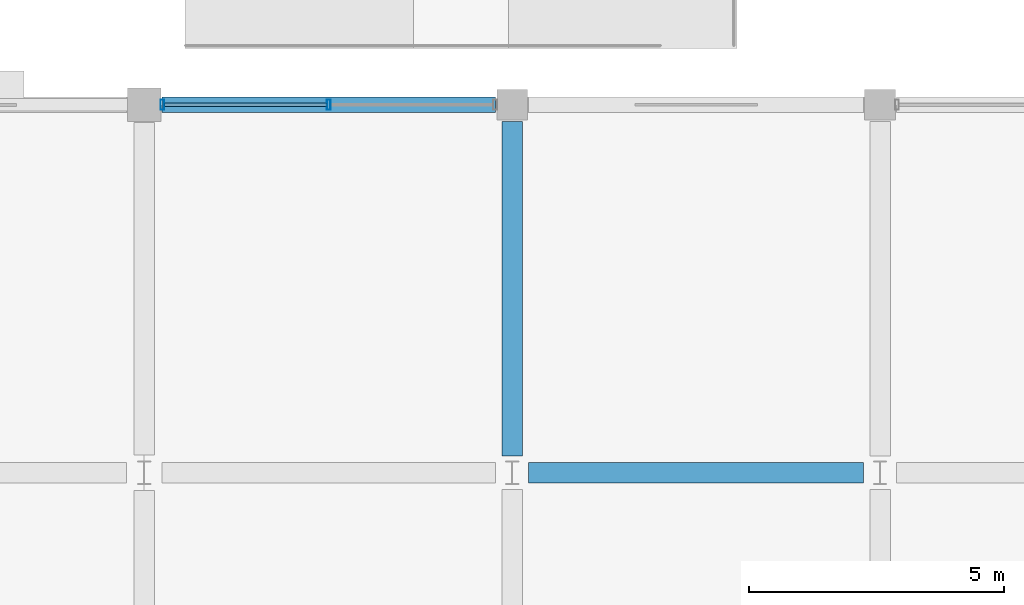
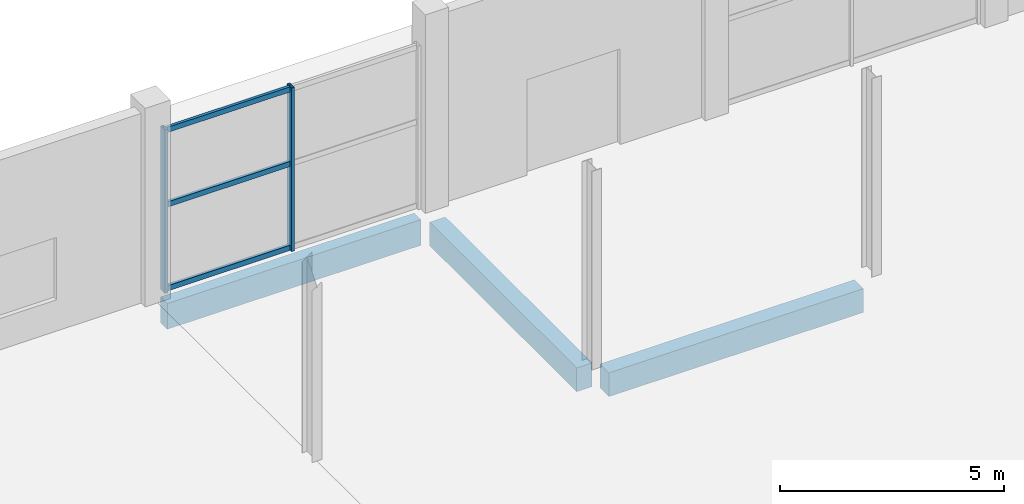
# One storey, part 20 of 90: 5 members, 3 beams, 1 element without a shape of its own.
"""IFC4 building model written with IfcOpenShell, lengths in metres."""

from ifc_helpers import new_model, si_unit, direction, frame, origin, origin_2d, place, context, subcontext, project, spatial, rectangle, hollow_rectangle, extrude, material, layer, layer_set, material_profile, profile_set, type_object, element, aggregate, save


model = new_model("IFC4")

# Units and contexts
model_context = context("Model", 3, precision=1e-05, world=origin(), true_north=direction((0.0, 1.0)))
body_context = subcontext(model_context, "Body", "Model", "MODEL_VIEW")
ifc_project = project(units=[si_unit("LENGTHUNIT", "METRE"), si_unit("AREAUNIT", "SQUARE_METRE"), si_unit("VOLUMEUNIT", "CUBIC_METRE"), si_unit("PLANEANGLEUNIT", "RADIAN"), si_unit("MASSUNIT", "GRAM", prefix="KILO")], contexts=[model_context])

# Site, building, storey
site_placement = place(None, origin())
site = spatial("IfcSite", under=ifc_project, at=site_placement, CompositionType="ELEMENT")
building_placement = place(site_placement, origin())
building = spatial("IfcBuilding", under=site, at=building_placement, Name="Kangsadwip Square Police Headquarters", CompositionType="ELEMENT")
storey_placement = place(building_placement, origin())
storey = spatial("IfcBuildingStorey", under=building, at=storey_placement, Name="L00", CompositionType="ELEMENT", Elevation=0.0)

# Curtain wall, members
ifc_material_1 = material(Name="Thermally broken anodised aluminium AW-6063-T6", Category="aluminium")
ifc_layer = layer(ifc_material_1, 0.159912109375)
ifc_layer_set = layer_set([ifc_layer], Name="Thermally broken anodised aluminium AW-6063-T6")
curtain_wall_type = type_object("IfcCurtainWallType", Name="UnitisedCw6585x4450", PredefinedType="NOTDEFINED", material=ifc_layer_set)
curtain_wall_placement = place(storey_placement, origin())
curtain_wall = element("IfcCurtainWall", 1, at=curtain_wall_placement, inside=storey, type_object=curtain_wall_type, Name="Curtain Wall CW-L00-0435-1152", PredefinedType="NOTDEFINED")
ifc_material_2 = material(Name="Thermally broken anodised aluminium AW-6063-T6", Category="aluminium")
ifc_material_profile_1 = material_profile(ifc_material_2, hollow_rectangle(XDim=0.074951171875, YDim=0.199951171875, WallThickness=0.0048828125, at=origin_2d()), Name="CWM 200X75X5")
ifc_profile_set_1 = profile_set([ifc_material_profile_1], Name="Thermally broken anodised aluminium AW-6063-T6")
member_type_1 = type_object("IfcMemberType", Name="CwMullion180x75", PredefinedType="MULLION", material=ifc_profile_set_1)
member_1_placement = place(storey_placement, frame((43.5576171875, 115.199951171875, 0.0), z_axis=(0.0, 0.0, 1.0), x_axis=(1.0, 0.0, 0.0)))
member_1 = element("IfcMember", 2, at=member_1_placement, type_object=member_type_1, Name="CW-07 mullion 1", PredefinedType="MULLION", context=body_context, shape_type="SweptSolid", body=[
    extrude(hollow_rectangle(XDim=0.074951171875, YDim=0.199951171875, WallThickness=0.0048828125, at=origin_2d()), origin(), (0.0, 0.0, 1.0), 4.449951171875),
])
member_2_placement = place(storey_placement, frame((46.8125, 115.199951171875, 0.0), z_axis=(0.0, 0.0, 1.0), x_axis=(1.0, 0.0, 0.0)))
member_2 = element("IfcMember", 3, at=member_2_placement, type_object=member_type_1, Name="CW-07 mullion 2", PredefinedType="MULLION", context=body_context, shape_type="SweptSolid", body=[
    extrude(hollow_rectangle(XDim=0.074951171875, YDim=0.199951171875, WallThickness=0.0048828125, at=origin_2d()), origin(), (0.0, 0.0, 1.0), 4.449951171875),
])
ifc_material_3 = material(Name="Thermally broken anodised aluminium AW-6063-T6", Category="aluminium")
ifc_material_profile_2 = material_profile(ifc_material_3, hollow_rectangle(XDim=0.074951171875, YDim=0.139892578125, WallThickness=0.0048828125, at=origin_2d()), Name="CWT 140X75X5")
ifc_profile_set_2 = profile_set([ifc_material_profile_2], Name="Thermally broken anodised aluminium AW-6063-T6")
member_type_2 = type_object("IfcMemberType", Name="CwTransom160x65", PredefinedType="USERDEFINED", material=ifc_profile_set_2)
member_3_placement = place(storey_placement, frame((43.594970703125, 115.199951171875, 0.070068359375), z_axis=(1.0, 0.0, 0.0), x_axis=(0.0, 1.0, 0.0)))
member_3 = element("IfcMember", 4, at=member_3_placement, type_object=member_type_2, Name="CW-07 transom 1.1", ObjectType="TRANSOM", PredefinedType="USERDEFINED", context=body_context, shape_type="SweptSolid", body=[
    extrude(hollow_rectangle(XDim=0.074951171875, YDim=0.139892578125, WallThickness=0.0048828125, at=origin_2d()), origin(), (0.0, 0.0, 1.0), 3.179931640625),
])
member_4_placement = place(storey_placement, frame((43.594970703125, 115.199951171875, 2.35009765625), z_axis=(1.0, 0.0, 0.0), x_axis=(0.0, 1.0, 0.0)))
member_4 = element("IfcMember", 5, at=member_4_placement, type_object=member_type_2, Name="CW-07 transom 1.2", ObjectType="TRANSOM", PredefinedType="USERDEFINED", context=body_context, shape_type="SweptSolid", body=[
    extrude(hollow_rectangle(XDim=0.074951171875, YDim=0.139892578125, WallThickness=0.0048828125, at=origin_2d()), origin(), (0.0, 0.0, 1.0), 3.179931640625),
])
member_5_placement = place(storey_placement, frame((43.594970703125, 115.199951171875, 4.3798828125), z_axis=(1.0, 0.0, 0.0), x_axis=(0.0, 1.0, 0.0)))
member_5 = element("IfcMember", 6, at=member_5_placement, type_object=member_type_2, Name="CW-07 transom 1.3", ObjectType="TRANSOM", PredefinedType="USERDEFINED", context=body_context, shape_type="SweptSolid", body=[
    extrude(hollow_rectangle(XDim=0.074951171875, YDim=0.139892578125, WallThickness=0.0048828125, at=origin_2d()), origin(), (0.0, 0.0, 1.0), 3.179931640625),
])
aggregate(curtain_wall, [member_1, member_2, member_3, member_4, member_5])

# Beams
ifc_material_4 = material(Name="Concrete M35 (35 MPa)", Category="concrete")
ifc_material_profile_3 = material_profile(ifc_material_4, rectangle(XDim=0.39990234375, YDim=0.64990234375, at=origin_2d()), Name="RC BM 650X400")
ifc_profile_set_3 = profile_set([ifc_material_profile_3], Name="Concrete M35 (35 MPa)")
beam_type_1 = type_object("IfcBeamType", Name="RcBeam650x400", PredefinedType="BEAM", material=ifc_profile_set_3)
beam_1_placement = place(storey_placement, frame((50.72509765625, 108.0, -0.574951171875), z_axis=(1.0, 0.0, 0.0), x_axis=(0.0, 1.0, 0.0)))
element("IfcBeam", 7, at=beam_1_placement, inside=storey, type_object=beam_type_1, Name="Beam BM-L00-X-07-15", PredefinedType="BEAM", context=body_context, shape_type="SweptSolid", body=[
    extrude(rectangle(XDim=0.39990234375, YDim=0.64990234375, at=origin_2d()), origin(), (0.0, 0.0, 1.0), 6.5498046875),
])
beam_2_placement = place(storey_placement, frame((50.39990234375, 108.324951171875, -0.574951171875), z_axis=(0.0, 1.0, 0.0), x_axis=(-1.0, 0.0, 0.0)))
element("IfcBeam", 8, at=beam_2_placement, inside=storey, type_object=beam_type_1, Name="Beam BM-L00-Y-07-15", PredefinedType="BEAM", context=body_context, shape_type="SweptSolid", body=[
    extrude(rectangle(XDim=0.39990234375, YDim=0.64990234375, at=origin_2d()), origin(), (0.0, 0.0, 1.0), 6.550048828125),
])
ifc_material_5 = material(Name="Concrete M40 (40 MPa)", Category="concrete")
ifc_material_profile_4 = material_profile(ifc_material_5, rectangle(XDim=0.300048828125, YDim=0.699951171875, at=origin_2d()), Name="RC SPN 700X300")
ifc_profile_set_4 = profile_set([ifc_material_profile_4], Name="Concrete M40 (40 MPa)")
beam_type_2 = type_object("IfcBeamType", Name="RcSpandrel700x300", PredefinedType="SPANDREL", material=ifc_profile_set_4)
beam_3_placement = place(storey_placement, frame((43.550048828125, 115.199951171875, -0.60009765625), z_axis=(1.0, 0.0, 0.0), x_axis=(0.0, 1.0, 0.0)))
element("IfcBeam", 9, at=beam_3_placement, inside=storey, type_object=beam_type_2, Name="Beam BM-L00-X-06-16", PredefinedType="SPANDREL", context=body_context, shape_type="SweptSolid", body=[
    extrude(rectangle(XDim=0.300048828125, YDim=0.699951171875, at=origin_2d()), origin(), (0.0, 0.0, 1.0), 6.52490234375),
])

save(model, "model.ifc")
